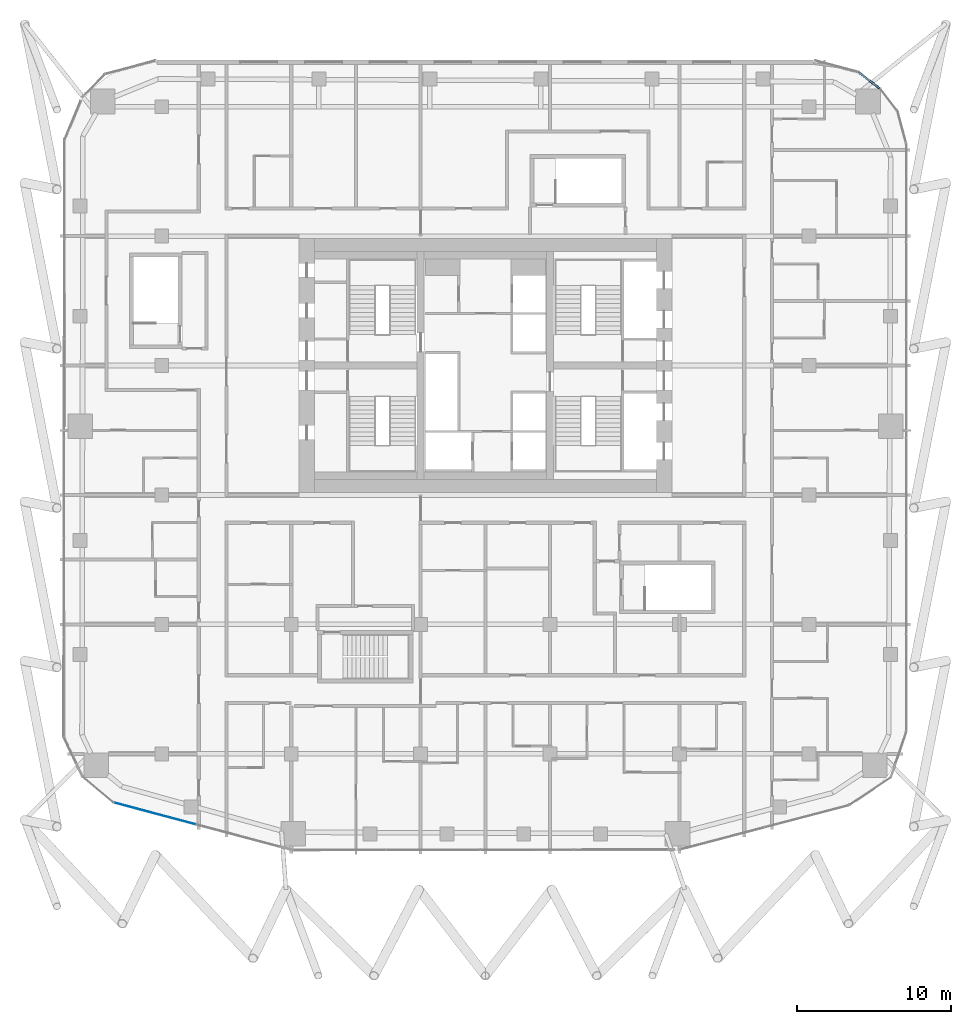
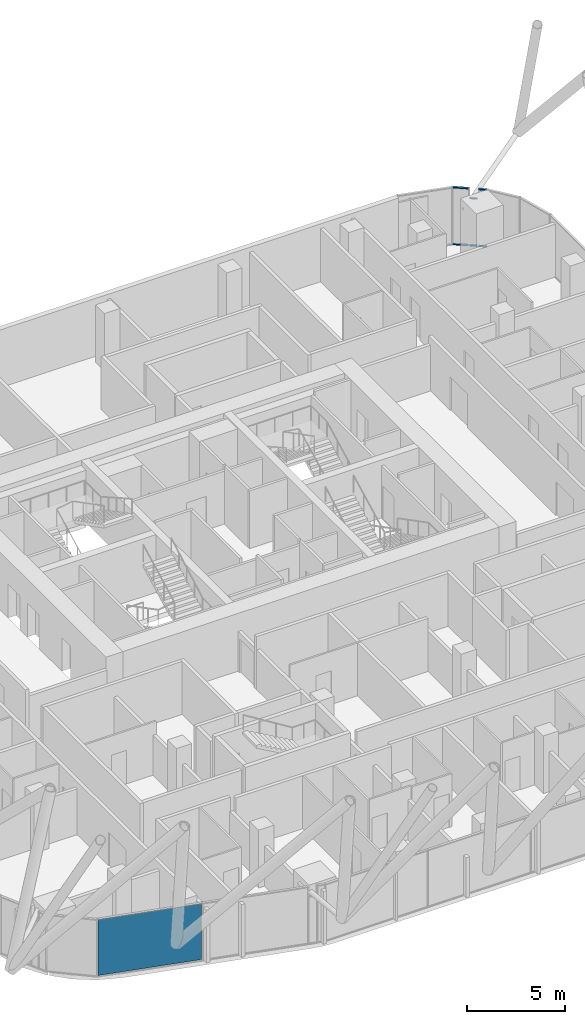
# One storey, part 19 of 34: 6 members, 1 plate, 4 elements without a shape of their own.
"""IFC4 building model written with IfcOpenShell, lengths in metres."""

from ifc_helpers import new_model, si_unit, direction, frame, origin, origin_2d, place, context, subcontext, project, spatial, rectangle, extrude, material, layer, layer_set, material_profile, profile_set, type_object, element, aggregate, save


model = new_model("IFC4")

# Units and contexts
model_context = context("Model", 3, precision=1e-05, world=origin(), true_north=direction((0.0, 1.0)))
body_context = subcontext(model_context, "Body", "Model", "MODEL_VIEW")
ifc_project = project(units=[si_unit("LENGTHUNIT", "METRE"), si_unit("AREAUNIT", "SQUARE_METRE"), si_unit("VOLUMEUNIT", "CUBIC_METRE"), si_unit("PLANEANGLEUNIT", "RADIAN"), si_unit("MASSUNIT", "GRAM", prefix="KILO")], contexts=[model_context])

# Site, building, storey
site_placement = place(None, origin())
site = spatial("IfcSite", under=ifc_project, at=site_placement, CompositionType="ELEMENT")
building_placement = place(site_placement, origin())
building = spatial("IfcBuilding", under=site, at=building_placement, Name="Marenta Gate Hotel Tower", CompositionType="ELEMENT")
storey_placement = place(building_placement, frame((0.0, 0.0, 166.10009765625)))
storey = spatial("IfcBuildingStorey", under=building, at=storey_placement, Name="L39", CompositionType="ELEMENT", Elevation=166.10009765625)

# Curtain wall, members
ifc_material_1 = material(Name="Tinted insulated glass in bronze anodised frame", Category="glass")
ifc_layer_1 = layer(ifc_material_1, 0.1201171875)
ifc_layer_set_1 = layer_set([ifc_layer_1], Name="Tinted insulated glass in bronze anodised frame")
curtain_wall_type = type_object("IfcCurtainWallType", Name="Tower unitised curtain wall CW1", PredefinedType="NOTDEFINED", material=ifc_layer_set_1)
curtain_wall_1_placement = place(storey_placement, origin())
curtain_wall_1 = element("IfcCurtainWall", 1, at=curtain_wall_1_placement, inside=storey, type_object=curtain_wall_type, Name="CW1 run G22", PredefinedType="NOTDEFINED")
ifc_material_2 = material(Name="Bronze anodised aluminium", Category="aluminium")
ifc_material_profile = material_profile(ifc_material_2, rectangle(XDim=0.1201171875, YDim=0.06005859375, at=origin_2d()), Name="Transom CW1 60x120 bronze anodised aluminium")
ifc_profile_set = profile_set([ifc_material_profile], Name="Bronze anodised aluminium")
member_type = type_object("IfcMemberType", Name="Transom CW1 60x120 bronze anodised aluminium", PredefinedType="USERDEFINED", material=ifc_profile_set)
member_1_placement = place(storey_placement, frame((25.597900390625, 26.382080078125, 0.02978515625), z_axis=(-0.793262709256, 0.608879523472, 0.0), x_axis=(-0.608879523472, -0.793262709256, 0.0)))
member_1 = element("IfcMember", 2, at=member_1_placement, type_object=member_type, Name="CW1 transom 1.1", ObjectType="TRANSOM", PredefinedType="USERDEFINED", context=body_context, shape_type="SweptSolid", body=[
    extrude(rectangle(XDim=0.1201171875, YDim=0.06005859375, at=origin_2d()), origin(), (0.0, 0.0, 1.0), 0.411865234375),
])
member_2_placement = place(storey_placement, frame((25.597900390625, 26.382080078125, 3.56982421875), z_axis=(-0.793262709256, 0.608879523472, 0.0), x_axis=(-0.608879523472, -0.793262709256, 0.0)))
member_2 = element("IfcMember", 3, at=member_2_placement, type_object=member_type, Name="CW1 transom 1.2", ObjectType="TRANSOM", PredefinedType="USERDEFINED", context=body_context, shape_type="SweptSolid", body=[
    extrude(rectangle(XDim=0.1201171875, YDim=0.06005859375, at=origin_2d()), origin(), (0.0, 0.0, 1.0), 0.411865234375),
])
aggregate(curtain_wall_1, [member_1, member_2])

curtain_wall_2_placement = place(storey_placement, origin())
curtain_wall_2 = element("IfcCurtainWall", 4, at=curtain_wall_2_placement, inside=storey, type_object=curtain_wall_type, Name="CW1 run G23", PredefinedType="NOTDEFINED")
member_3_placement = place(storey_placement, frame((25.2236328125, 26.669189453125, 0.02978515625), z_axis=(-0.793403619358, 0.608695898449, 0.0), x_axis=(-0.608695898449, -0.793403619358, 0.0)))
member_3 = element("IfcMember", 5, at=member_3_placement, type_object=member_type, Name="CW1 transom 1.1", ObjectType="TRANSOM", PredefinedType="USERDEFINED", context=body_context, shape_type="SweptSolid", body=[
    extrude(rectangle(XDim=0.1201171875, YDim=0.06005859375, at=origin_2d()), origin(), (0.0, 0.0, 1.0), 0.406982421875),
])
member_4_placement = place(storey_placement, frame((25.2236328125, 26.669189453125, 2.970458984375), z_axis=(-0.793403619358, 0.608695898449, 0.0), x_axis=(-0.608695898449, -0.793403619358, 0.0)))
member_4 = element("IfcMember", 6, at=member_4_placement, type_object=member_type, Name="CW1 transom 1.2", ObjectType="TRANSOM", PredefinedType="USERDEFINED", context=body_context, shape_type="SweptSolid", body=[
    extrude(rectangle(XDim=0.1201171875, YDim=0.06005859375, at=origin_2d()), origin(), (0.0, 0.0, 1.0), 0.406982421875),
])
aggregate(curtain_wall_2, [member_3, member_4])

curtain_wall_3_placement = place(storey_placement, origin())
curtain_wall_3 = element("IfcCurtainWall", 7, at=curtain_wall_3_placement, inside=storey, type_object=curtain_wall_type, Name="CW1 run G24", PredefinedType="NOTDEFINED")
member_5_placement = place(storey_placement, frame((24.85302734375, 26.95361328125, 0.02978515625), z_axis=(-0.793397450201, 0.608703939542, 0.0), x_axis=(-0.608703939542, -0.793397450201, 0.0)))
member_5 = element("IfcMember", 8, at=member_5_placement, type_object=member_type, Name="CW1 transom 1.1", ObjectType="TRANSOM", PredefinedType="USERDEFINED", context=body_context, shape_type="SweptSolid", body=[
    extrude(rectangle(XDim=0.1201171875, YDim=0.06005859375, at=origin_2d()), origin(), (0.0, 0.0, 1.0), 0.80908203125),
])
member_6_placement = place(storey_placement, frame((24.85302734375, 26.95361328125, 3.56982421875), z_axis=(-0.793397450201, 0.608703939542, 0.0), x_axis=(-0.608703939542, -0.793397450201, 0.0)))
member_6 = element("IfcMember", 9, at=member_6_placement, type_object=member_type, Name="CW1 transom 1.2", ObjectType="TRANSOM", PredefinedType="USERDEFINED", context=body_context, shape_type="SweptSolid", body=[
    extrude(rectangle(XDim=0.1201171875, YDim=0.06005859375, at=origin_2d()), origin(), (0.0, 0.0, 1.0), 0.80908203125),
])
aggregate(curtain_wall_3, [member_5, member_6])

# Curtain wall, plate
curtain_wall_4_placement = place(storey_placement, origin())
curtain_wall_4 = element("IfcCurtainWall", 10, at=curtain_wall_4_placement, inside=storey, type_object=curtain_wall_type, Name="CW1 run G09", PredefinedType="NOTDEFINED")
ifc_material_3 = material(Name="Tinted insulated glass", Category="glass")
ifc_layer_2 = layer(ifc_material_3, 0.028076171875)
ifc_layer_set_2 = layer_set([ifc_layer_2], Name="Tinted insulated glass")
plate_type = type_object("IfcPlateType", Name="Glass panel CW1 28 mm tinted insulated unit", PredefinedType="CURTAIN_PANEL", material=ifc_layer_set_2)
plate_placement = place(storey_placement, frame((-21.44482421875, -20.6689453125, 0.059814453125), z_axis=(0.0, 0.0, 1.0), x_axis=(0.966373224743, -0.257143521209, 0.0)))
plate = element("IfcPlate", 11, at=plate_placement, type_object=plate_type, Name="CW1 panel 1.1", PredefinedType="CURTAIN_PANEL", context=body_context, shape_type="SweptSolid", body=[
    extrude(rectangle(XDim=5.485595703125, YDim=0.028076171875, at=origin_2d()), origin(), (0.0, 0.0, 1.0), 3.47998046875),
])
aggregate(curtain_wall_4, [plate])

save(model, "model.ifc")
